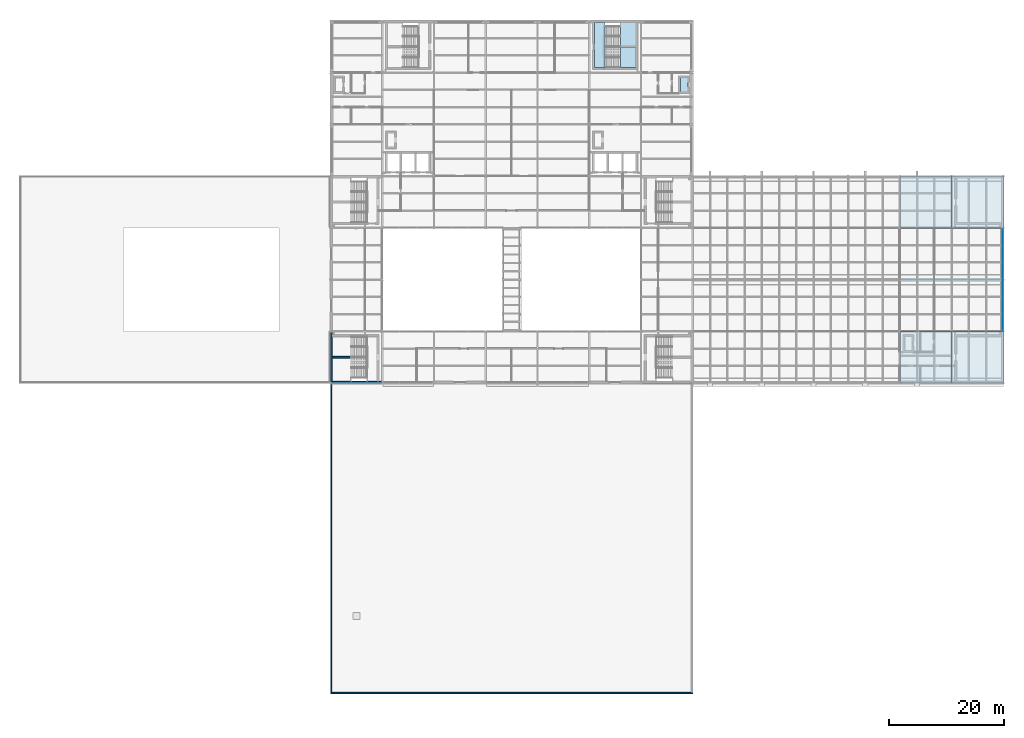
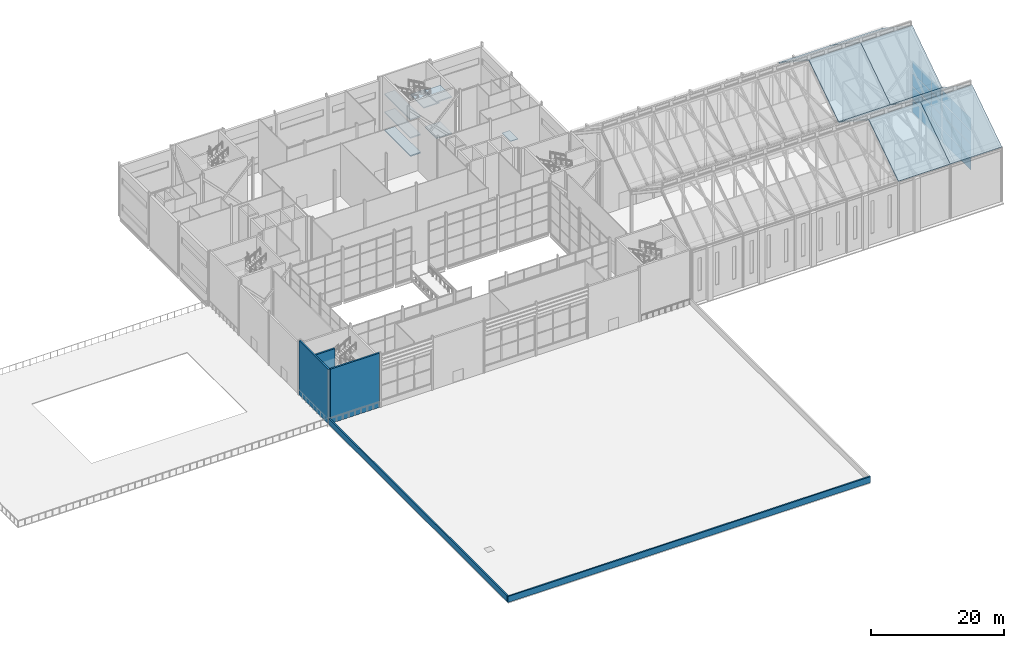
# One storey, part 84 of 111: 24 plates, 15 slabs, 5 walls, 3 elements without a shape of their own.
"""IFC4 building model written with IfcOpenShell, lengths in metres."""

from ifc_helpers import new_model, si_unit, direction, frame, frame_2d, origin, origin_2d, place, context, subcontext, project, spatial, polyline, rectangle, outline, extrude, material, layer, layer_set, type_object, element, aggregate, save


model = new_model("IFC4")

# Units and contexts
model_context = context("Model", 3, precision=1e-05, world=origin(), true_north=direction((0.0, 1.0)))
body_context = subcontext(model_context, "Body", "Model", "MODEL_VIEW")
ifc_project = project(units=[si_unit("LENGTHUNIT", "METRE"), si_unit("AREAUNIT", "SQUARE_METRE"), si_unit("VOLUMEUNIT", "CUBIC_METRE"), si_unit("PLANEANGLEUNIT", "RADIAN"), si_unit("MASSUNIT", "GRAM", prefix="KILO")], contexts=[model_context])

# Site, building, storey
site_placement = place(None, origin())
site = spatial("IfcSite", under=ifc_project, at=site_placement, CompositionType="ELEMENT")
building_placement = place(site_placement, origin())
building = spatial("IfcBuilding", under=site, at=building_placement, Name="Shorebreak Coast Museum", CompositionType="ELEMENT")
storey_placement = place(building_placement, frame((0.0, 0.0, 16.0)))
storey = spatial("IfcBuildingStorey", under=building, at=storey_placement, Name="L03", CompositionType="ELEMENT", Elevation=16.0)

# Slabs
ifc_material_1 = material(Name="Concrete N40 (40 MPa)", Category="concrete")
ifc_layer_1 = layer(ifc_material_1, 0.10009765625)
ifc_layer_set_1 = layer_set([ifc_layer_1], Name="Concrete N40 (40 MPa)")
slab_type_1 = type_object("IfcSlabType", Name="Riser platform 100", PredefinedType="USERDEFINED", material=ifc_layer_set_1)
slab_1_placement = place(storey_placement, frame((0.0, 0.0, -0.10009765625)))
element("IfcSlab", 1, at=slab_1_placement, inside=storey, type_object=slab_type_1, Name="Riser platform R-WC-N2 L03", ObjectType="RISER PLATFORM", PredefinedType="USERDEFINED", context=body_context, shape_type="SweptSolid", body=[
    extrude(outline(polyline([(114.85009765625, 104.64990234375), (116.14990234375, 104.64990234375), (116.14990234375, 107.14990234375), (114.85009765625, 107.14990234375), (114.85009765625, 104.64990234375)])), origin(), (0.0, 0.0, 1.0), 0.10009765625),
])
ifc_material_2 = material(Name="Concrete N50 (50 MPa)", Category="concrete")
ifc_layer_2 = layer(ifc_material_2, 0.199951171875)
ifc_layer_set_2 = layer_set([ifc_layer_2], Name="Concrete N50 (50 MPa)")
slab_type_2 = type_object("IfcSlabType", Name="Roof slab folded plate 200 concrete N50", PredefinedType="ROOF", material=ifc_layer_set_2)
for number, where, z_axis, x_axis, name in (
    (2, (153.0, 54.0, 10.0), (0.0, -0.554700196225, 0.832050294338), (1.0, 0.0, 0.0), "Folded roof slab FOLD-E-P05"),
    (3, (162.0, 54.0, 10.0), (0.0, -0.554700196225, 0.832050294338), (1.0, 0.0, 0.0), "Folded roof slab FOLD-E-P06"),
    (4, (153.0, 63.0, 16.0), (0.0, 0.554700196225, 0.832050294338), (1.0, 0.0, 0.0), "Folded roof slab FOLD-E-P11"),
    (5, (162.0, 63.0, 16.0), (0.0, 0.554700196225, 0.832050294338), (1.0, 0.0, 0.0), "Folded roof slab FOLD-E-P12"),
    (6, (153.0, 72.0, 10.0), (0.0, -0.554700196225, 0.832050294338), (1.0, 0.0, 0.0), "Folded roof slab FOLD-E-P17"),
    (7, (162.0, 72.0, 10.0), (0.0, -0.554700196225, 0.832050294338), (1.0, 0.0, 0.0), "Folded roof slab FOLD-E-P18"),
    (8, (153.0, 81.0, 16.0), (0.0, 0.554700196225, 0.832050294338), (1.0, 0.0, 0.0), "Folded roof slab FOLD-E-P23"),
    (9, (162.0, 81.0, 16.0), (0.0, 0.554700196225, 0.832050294338), (1.0, 0.0, 0.0), "Folded roof slab FOLD-E-P24"),
):
    element("IfcSlab", number, at=place(storey_placement, frame(where, z_axis=z_axis, x_axis=x_axis)), inside=storey, type_object=slab_type_2, Name=name, PredefinedType="ROOF", context=body_context, shape_type="SweptSolid", body=[
        extrude(outline(polyline([(0.0, 0.0), (9.0, 0.0), (9.0, 10.816653826391969), (0.0, 10.816653826391969), (0.0, 0.0)])), origin(), (0.0, 0.0, -1.0), 0.199951171875),
    ])

# Stair, slabs
ifc_material_3 = material(Name="Concrete N40 (40 MPa)", Category="concrete")
stair_type = type_object("IfcStairType", Name="Stair run 10 m", PredefinedType="DOUBLE_RETURN_STAIR", material=ifc_material_3)
stair_placement = place(storey_placement, origin())
stair = element("IfcStair", 10, at=stair_placement, inside=storey, type_object=stair_type, Name="Exit stair ST10-L03", PredefinedType="DOUBLE_RETURN_STAIR")
ifc_material_4 = material(Name="Concrete N40 (40 MPa)", Category="concrete")
ifc_layer_3 = layer(ifc_material_4, 0.199951171875)
ifc_layer_set_3 = layer_set([ifc_layer_3], Name="Concrete N40 (40 MPa)")
slab_type_3 = type_object("IfcSlabType", Name="Stair landing 200", PredefinedType="LANDING", material=ifc_layer_set_3)
slab_2_placement = place(storey_placement, frame((0.0, 0.0, -0.199951171875)))
slab_2 = element("IfcSlab", 11, at=slab_2_placement, type_object=slab_type_3, Name="ST10-L03 landing 1", PredefinedType="LANDING", context=body_context, shape_type="SweptSolid", body=[
    extrude(outline(polyline([(99.89990234375, 108.89990234375), (101.699951171875, 108.89990234375), (101.699951171875, 116.699951171875), (99.89990234375, 116.699951171875), (99.89990234375, 108.89990234375)])), origin(), (0.0, 0.0, 1.0), 0.199951171875),
])
slab_3_placement = place(storey_placement, frame((0.0, 0.0, 3.13330078125)))
slab_3 = element("IfcSlab", 12, at=slab_3_placement, type_object=slab_type_3, Name="ST10-L03 landing 2", PredefinedType="LANDING", context=body_context, shape_type="SweptSolid", body=[
    extrude(outline(polyline([(99.89990234375, 108.89990234375), (101.699951171875, 108.89990234375), (101.699951171875, 116.699951171875), (99.89990234375, 116.699951171875), (99.89990234375, 108.89990234375)])), origin(), (0.0, 0.0, 1.0), 0.199951171875),
])
slab_4_placement = place(storey_placement, frame((0.0, 0.0, 6.466796875)))
slab_4 = element("IfcSlab", 13, at=slab_4_placement, type_object=slab_type_3, Name="ST10-L03 landing 3", PredefinedType="LANDING", context=body_context, shape_type="SweptSolid", body=[
    extrude(outline(polyline([(99.89990234375, 108.89990234375), (101.699951171875, 108.89990234375), (101.699951171875, 116.699951171875), (99.89990234375, 116.699951171875), (99.89990234375, 108.89990234375)])), origin(), (0.0, 0.0, 1.0), 0.199951171875),
])
slab_5_placement = place(storey_placement, frame((0.0, 0.0, 1.466796875)))
slab_5 = element("IfcSlab", 14, at=slab_5_placement, type_object=slab_type_3, Name="ST10-L03 landing 4", PredefinedType="LANDING", context=body_context, shape_type="SweptSolid", body=[
    extrude(outline(polyline([(104.39990234375, 108.89990234375), (107.10009765625, 108.89990234375), (107.10009765625, 112.35009765625), (104.39990234375, 112.35009765625), (104.39990234375, 108.89990234375)])), origin(), (0.0, 0.0, 1.0), 0.199951171875),
])
slab_6_placement = place(storey_placement, frame((0.0, 0.0, 4.800048828125)))
slab_6 = element("IfcSlab", 15, at=slab_6_placement, type_object=slab_type_3, Name="ST10-L03 landing 5", PredefinedType="LANDING", context=body_context, shape_type="SweptSolid", body=[
    extrude(outline(polyline([(104.39990234375, 112.64990234375), (107.10009765625, 112.64990234375), (107.10009765625, 116.699951171875), (104.39990234375, 116.699951171875), (104.39990234375, 112.64990234375)])), origin(), (0.0, 0.0, 1.0), 0.199951171875),
])
slab_7_placement = place(storey_placement, frame((0.0, 0.0, 8.13330078125)))
slab_7 = element("IfcSlab", 16, at=slab_7_placement, type_object=slab_type_3, Name="ST10-L03 landing 6", PredefinedType="LANDING", context=body_context, shape_type="SweptSolid", body=[
    extrude(outline(polyline([(104.39990234375, 108.89990234375), (107.10009765625, 108.89990234375), (107.10009765625, 112.35009765625), (104.39990234375, 112.35009765625), (104.39990234375, 108.89990234375)])), origin(), (0.0, 0.0, 1.0), 0.199951171875),
])
aggregate(stair, [slab_2, slab_3, slab_4, slab_5, slab_6, slab_7])

# Curtain wall, plates
ifc_material_5 = material(Name="Aluminium", Category="aluminium")
ifc_layer_4 = layer(ifc_material_5, 0.14990234375)
ifc_layer_set_4 = layer_set([ifc_layer_4], Name="Aluminium")
curtain_wall_type = type_object("IfcCurtainWallType", Name="Storefront curtain wall", PredefinedType="NOTDEFINED", material=ifc_layer_set_4)
curtain_wall_1_placement = place(storey_placement, origin())
curtain_wall_1 = element("IfcCurtainWall", 17, at=curtain_wall_1_placement, inside=storey, type_object=curtain_wall_type, Name="Gallery end glazing L03 E 1", PredefinedType="NOTDEFINED")
ifc_material_6 = material(Name="Glass", Category="glass")
ifc_layer_5 = layer(ifc_material_6, 0.031982421875)
ifc_layer_set_5 = layer_set([ifc_layer_5], Name="Glass")
plate_type = type_object("IfcPlateType", Name="Storefront glass panel 32", PredefinedType="CURTAIN_PANEL", material=ifc_layer_set_5)
plate_1_placement = place(storey_placement, frame((170.925048828125, 64.63916015625, 0.14990234375), z_axis=(0.0, 0.0, 1.0), x_axis=(0.0, 1.0, 0.0)))
plate_1 = element("IfcPlate", 18, at=plate_1_placement, type_object=plate_type, Name="CW9 panel 1.1", PredefinedType="CURTAIN_PANEL", context=body_context, shape_type="SweptSolid", body=[
    extrude(rectangle(XDim=2.82421875, YDim=0.031982421875, at=origin_2d()), origin(), (0.0, 0.0, 1.0), 2.22509765625),
])
plate_2_placement = place(storey_placement, frame((170.925048828125, 64.63916015625, 2.52490234375), z_axis=(0.0, 0.0, 1.0), x_axis=(0.0, 1.0, 0.0)))
plate_2 = element("IfcPlate", 19, at=plate_2_placement, type_object=plate_type, Name="CW9 panel 1.2", PredefinedType="CURTAIN_PANEL", context=body_context, shape_type="SweptSolid", body=[
    extrude(rectangle(XDim=2.82421875, YDim=0.031982421875, at=origin_2d()), origin(), (0.0, 0.0, 1.0), 2.300048828125),
])
plate_3_placement = place(storey_placement, frame((170.925048828125, 64.63916015625, 4.97509765625), z_axis=(0.0, 0.0, 1.0), x_axis=(0.0, 1.0, 0.0)))
plate_3 = element("IfcPlate", 20, at=plate_3_placement, type_object=plate_type, Name="CW9 panel 1.3", PredefinedType="CURTAIN_PANEL", context=body_context, shape_type="SweptSolid", body=[
    extrude(rectangle(XDim=2.82421875, YDim=0.031982421875, at=origin_2d()), origin(), (0.0, 0.0, 1.0), 2.300048828125),
])
plate_4_placement = place(storey_placement, frame((170.925048828125, 64.63916015625, 7.425048828125), z_axis=(0.0, 0.0, 1.0), x_axis=(0.0, 1.0, 0.0)))
plate_4 = element("IfcPlate", 21, at=plate_4_placement, type_object=plate_type, Name="CW9 panel 1.4", PredefinedType="CURTAIN_PANEL", context=body_context, shape_type="SweptSolid", body=[
    extrude(rectangle(XDim=2.82421875, YDim=0.031982421875, at=origin_2d()), origin(), (0.0, 0.0, 1.0), 2.22509765625),
])
plate_5_placement = place(storey_placement, frame((170.925048828125, 67.52587890625, 0.14990234375), z_axis=(0.0, 0.0, 1.0), x_axis=(0.0, 1.0, 0.0)))
plate_5 = element("IfcPlate", 22, at=plate_5_placement, type_object=plate_type, Name="CW9 panel 2.1", PredefinedType="CURTAIN_PANEL", context=body_context, shape_type="SweptSolid", body=[
    extrude(rectangle(XDim=2.849365234375, YDim=0.031982421875, at=origin_2d()), origin(), (0.0, 0.0, 1.0), 2.22509765625),
])
plate_6_placement = place(storey_placement, frame((170.925048828125, 67.52587890625, 2.52490234375), z_axis=(0.0, 0.0, 1.0), x_axis=(0.0, 1.0, 0.0)))
plate_6 = element("IfcPlate", 23, at=plate_6_placement, type_object=plate_type, Name="CW9 panel 2.2", PredefinedType="CURTAIN_PANEL", context=body_context, shape_type="SweptSolid", body=[
    extrude(rectangle(XDim=2.849365234375, YDim=0.031982421875, at=origin_2d()), origin(), (0.0, 0.0, 1.0), 2.300048828125),
])
plate_7_placement = place(storey_placement, frame((170.925048828125, 67.52587890625, 4.97509765625), z_axis=(0.0, 0.0, 1.0), x_axis=(0.0, 1.0, 0.0)))
plate_7 = element("IfcPlate", 24, at=plate_7_placement, type_object=plate_type, Name="CW9 panel 2.3", PredefinedType="CURTAIN_PANEL", context=body_context, shape_type="SweptSolid", body=[
    extrude(rectangle(XDim=2.849365234375, YDim=0.031982421875, at=origin_2d()), origin(), (0.0, 0.0, 1.0), 2.300048828125),
])
plate_8_placement = place(storey_placement, frame((170.925048828125, 67.52587890625, 7.425048828125), z_axis=(0.0, 0.0, 1.0), x_axis=(0.0, 1.0, 0.0)))
plate_8 = element("IfcPlate", 25, at=plate_8_placement, type_object=plate_type, Name="CW9 panel 2.4", PredefinedType="CURTAIN_PANEL", context=body_context, shape_type="SweptSolid", body=[
    extrude(rectangle(XDim=2.849365234375, YDim=0.031982421875, at=origin_2d()), origin(), (0.0, 0.0, 1.0), 2.22509765625),
])
plate_9_placement = place(storey_placement, frame((170.925048828125, 70.412841796875, 0.14990234375), z_axis=(0.0, 0.0, 1.0), x_axis=(0.0, 1.0, 0.0)))
plate_9 = element("IfcPlate", 26, at=plate_9_placement, type_object=plate_type, Name="CW9 panel 3.1", PredefinedType="CURTAIN_PANEL", context=body_context, shape_type="SweptSolid", body=[
    extrude(rectangle(XDim=2.82421875, YDim=0.031982421875, at=origin_2d()), origin(), (0.0, 0.0, 1.0), 2.22509765625),
])
plate_10_placement = place(storey_placement, frame((170.925048828125, 70.412841796875, 2.52490234375), z_axis=(0.0, 0.0, 1.0), x_axis=(0.0, 1.0, 0.0)))
plate_10 = element("IfcPlate", 27, at=plate_10_placement, type_object=plate_type, Name="CW9 panel 3.2", PredefinedType="CURTAIN_PANEL", context=body_context, shape_type="SweptSolid", body=[
    extrude(rectangle(XDim=2.82421875, YDim=0.031982421875, at=origin_2d()), origin(), (0.0, 0.0, 1.0), 2.300048828125),
])
plate_11_placement = place(storey_placement, frame((170.925048828125, 70.412841796875, 4.97509765625), z_axis=(0.0, 0.0, 1.0), x_axis=(0.0, 1.0, 0.0)))
plate_11 = element("IfcPlate", 28, at=plate_11_placement, type_object=plate_type, Name="CW9 panel 3.3", PredefinedType="CURTAIN_PANEL", context=body_context, shape_type="SweptSolid", body=[
    extrude(rectangle(XDim=2.82421875, YDim=0.031982421875, at=origin_2d()), origin(), (0.0, 0.0, 1.0), 2.300048828125),
])
plate_12_placement = place(storey_placement, frame((170.925048828125, 70.412841796875, 7.425048828125), z_axis=(0.0, 0.0, 1.0), x_axis=(0.0, 1.0, 0.0)))
plate_12 = element("IfcPlate", 29, at=plate_12_placement, type_object=plate_type, Name="CW9 panel 3.4", PredefinedType="CURTAIN_PANEL", context=body_context, shape_type="SweptSolid", body=[
    extrude(rectangle(XDim=2.82421875, YDim=0.031982421875, at=origin_2d()), origin(), (0.0, 0.0, 1.0), 2.22509765625),
])
aggregate(curtain_wall_1, [plate_1, plate_2, plate_3, plate_4, plate_5, plate_6, plate_7, plate_8, plate_9, plate_10, plate_11, plate_12])

curtain_wall_2_placement = place(storey_placement, origin())
curtain_wall_2 = element("IfcCurtainWall", 30, at=curtain_wall_2_placement, inside=storey, type_object=curtain_wall_type, Name="Gallery end glazing L03 E 2", PredefinedType="NOTDEFINED")
plate_13_placement = place(storey_placement, frame((170.925048828125, 73.587158203125, 0.14990234375), z_axis=(0.0, 0.0, 1.0), x_axis=(0.0, 1.0, 0.0)))
plate_13 = element("IfcPlate", 31, at=plate_13_placement, type_object=plate_type, Name="CW9 panel 1.1", PredefinedType="CURTAIN_PANEL", context=body_context, shape_type="SweptSolid", body=[
    extrude(rectangle(XDim=2.82421875, YDim=0.031982421875, at=origin_2d()), origin(), (0.0, 0.0, 1.0), 2.22509765625),
])
plate_14_placement = place(storey_placement, frame((170.925048828125, 73.587158203125, 2.52490234375), z_axis=(0.0, 0.0, 1.0), x_axis=(0.0, 1.0, 0.0)))
plate_14 = element("IfcPlate", 32, at=plate_14_placement, type_object=plate_type, Name="CW9 panel 1.2", PredefinedType="CURTAIN_PANEL", context=body_context, shape_type="SweptSolid", body=[
    extrude(rectangle(XDim=2.82421875, YDim=0.031982421875, at=origin_2d()), origin(), (0.0, 0.0, 1.0), 2.300048828125),
])
plate_15_placement = place(storey_placement, frame((170.925048828125, 73.587158203125, 4.97509765625), z_axis=(0.0, 0.0, 1.0), x_axis=(0.0, 1.0, 0.0)))
plate_15 = element("IfcPlate", 33, at=plate_15_placement, type_object=plate_type, Name="CW9 panel 1.3", PredefinedType="CURTAIN_PANEL", context=body_context, shape_type="SweptSolid", body=[
    extrude(rectangle(XDim=2.82421875, YDim=0.031982421875, at=origin_2d()), origin(), (0.0, 0.0, 1.0), 2.300048828125),
])
plate_16_placement = place(storey_placement, frame((170.925048828125, 73.587158203125, 7.425048828125), z_axis=(0.0, 0.0, 1.0), x_axis=(0.0, 1.0, 0.0)))
plate_16 = element("IfcPlate", 34, at=plate_16_placement, type_object=plate_type, Name="CW9 panel 1.4", PredefinedType="CURTAIN_PANEL", context=body_context, shape_type="SweptSolid", body=[
    extrude(rectangle(XDim=2.82421875, YDim=0.031982421875, at=origin_2d()), origin(), (0.0, 0.0, 1.0), 2.22509765625),
])
plate_17_placement = place(storey_placement, frame((170.925048828125, 76.47412109375, 0.14990234375), z_axis=(0.0, 0.0, 1.0), x_axis=(0.0, 1.0, 0.0)))
plate_17 = element("IfcPlate", 35, at=plate_17_placement, type_object=plate_type, Name="CW9 panel 2.1", PredefinedType="CURTAIN_PANEL", context=body_context, shape_type="SweptSolid", body=[
    extrude(rectangle(XDim=2.849365234375, YDim=0.031982421875, at=origin_2d()), origin(), (0.0, 0.0, 1.0), 2.22509765625),
])
plate_18_placement = place(storey_placement, frame((170.925048828125, 76.47412109375, 2.52490234375), z_axis=(0.0, 0.0, 1.0), x_axis=(0.0, 1.0, 0.0)))
plate_18 = element("IfcPlate", 36, at=plate_18_placement, type_object=plate_type, Name="CW9 panel 2.2", PredefinedType="CURTAIN_PANEL", context=body_context, shape_type="SweptSolid", body=[
    extrude(rectangle(XDim=2.849365234375, YDim=0.031982421875, at=origin_2d()), origin(), (0.0, 0.0, 1.0), 2.300048828125),
])
plate_19_placement = place(storey_placement, frame((170.925048828125, 76.47412109375, 4.97509765625), z_axis=(0.0, 0.0, 1.0), x_axis=(0.0, 1.0, 0.0)))
plate_19 = element("IfcPlate", 37, at=plate_19_placement, type_object=plate_type, Name="CW9 panel 2.3", PredefinedType="CURTAIN_PANEL", context=body_context, shape_type="SweptSolid", body=[
    extrude(rectangle(XDim=2.849365234375, YDim=0.031982421875, at=origin_2d()), origin(), (0.0, 0.0, 1.0), 2.300048828125),
])
plate_20_placement = place(storey_placement, frame((170.925048828125, 76.47412109375, 7.425048828125), z_axis=(0.0, 0.0, 1.0), x_axis=(0.0, 1.0, 0.0)))
plate_20 = element("IfcPlate", 38, at=plate_20_placement, type_object=plate_type, Name="CW9 panel 2.4", PredefinedType="CURTAIN_PANEL", context=body_context, shape_type="SweptSolid", body=[
    extrude(rectangle(XDim=2.849365234375, YDim=0.031982421875, at=origin_2d()), origin(), (0.0, 0.0, 1.0), 2.22509765625),
])
plate_21_placement = place(storey_placement, frame((170.925048828125, 79.36083984375, 0.14990234375), z_axis=(0.0, 0.0, 1.0), x_axis=(0.0, 1.0, 0.0)))
plate_21 = element("IfcPlate", 39, at=plate_21_placement, type_object=plate_type, Name="CW9 panel 3.1", PredefinedType="CURTAIN_PANEL", context=body_context, shape_type="SweptSolid", body=[
    extrude(rectangle(XDim=2.82421875, YDim=0.031982421875, at=origin_2d()), origin(), (0.0, 0.0, 1.0), 2.22509765625),
])
plate_22_placement = place(storey_placement, frame((170.925048828125, 79.36083984375, 2.52490234375), z_axis=(0.0, 0.0, 1.0), x_axis=(0.0, 1.0, 0.0)))
plate_22 = element("IfcPlate", 40, at=plate_22_placement, type_object=plate_type, Name="CW9 panel 3.2", PredefinedType="CURTAIN_PANEL", context=body_context, shape_type="SweptSolid", body=[
    extrude(rectangle(XDim=2.82421875, YDim=0.031982421875, at=origin_2d()), origin(), (0.0, 0.0, 1.0), 2.300048828125),
])
plate_23_placement = place(storey_placement, frame((170.925048828125, 79.36083984375, 4.97509765625), z_axis=(0.0, 0.0, 1.0), x_axis=(0.0, 1.0, 0.0)))
plate_23 = element("IfcPlate", 41, at=plate_23_placement, type_object=plate_type, Name="CW9 panel 3.3", PredefinedType="CURTAIN_PANEL", context=body_context, shape_type="SweptSolid", body=[
    extrude(rectangle(XDim=2.82421875, YDim=0.031982421875, at=origin_2d()), origin(), (0.0, 0.0, 1.0), 2.300048828125),
])
plate_24_placement = place(storey_placement, frame((170.925048828125, 79.36083984375, 7.425048828125), z_axis=(0.0, 0.0, 1.0), x_axis=(0.0, 1.0, 0.0)))
plate_24 = element("IfcPlate", 42, at=plate_24_placement, type_object=plate_type, Name="CW9 panel 3.4", PredefinedType="CURTAIN_PANEL", context=body_context, shape_type="SweptSolid", body=[
    extrude(rectangle(XDim=2.82421875, YDim=0.031982421875, at=origin_2d()), origin(), (0.0, 0.0, 1.0), 2.22509765625),
])
aggregate(curtain_wall_2, [plate_13, plate_14, plate_15, plate_16, plate_17, plate_18, plate_19, plate_20, plate_21, plate_22, plate_23, plate_24])

# Walls
ifc_material_7 = material(Name="Concrete N50 (50 MPa)", Category="concrete")
ifc_layer_6 = layer(ifc_material_7, 0.300048828125)
ifc_layer_set_6 = layer_set([ifc_layer_6], Name="Concrete N50 (50 MPa)")
wall_type_1 = type_object("IfcWallType", Name="RC wall 300", PredefinedType="SHEAR", material=ifc_layer_set_6)
wall_1_placement = place(storey_placement, frame((54.300048828125, 54.14990234375, 0.0), z_axis=(0.0, 0.0, 1.0), x_axis=(1.0, 0.0, 0.0)))
element("IfcWall", 43, at=wall_1_placement, inside=storey, type_object=wall_type_1, Name="Stair core wall ST01 L03 S", PredefinedType="SHEAR", context=body_context, shape_type="SweptSolid", body=[
    extrude(rectangle(XDim=8.574951171875, YDim=0.300048828125, at=frame_2d((4.28759765625, 0.0))), origin(), (0.0, 0.0, 1.0), 10.0),
])
wall_2_placement = place(storey_placement, frame((54.14990234375, 54.125, 0.0), z_axis=(0.0, 0.0, 1.0), x_axis=(0.0, 1.0, 0.0)))
element("IfcWall", 44, at=wall_2_placement, inside=storey, type_object=wall_type_1, Name="Stair core wall ST01 L03 W", PredefinedType="SHEAR", context=body_context, shape_type="SweptSolid", body=[
    extrude(rectangle(XDim=8.75, YDim=0.300048828125, at=frame_2d((4.375, 0.0))), origin(), (0.0, 0.0, 1.0), 10.0),
])
wall_3_placement = place(storey_placement, frame((57.60009765625, 58.5, 0.0), z_axis=(0.0, 0.0, 1.0), x_axis=(-1.0, 0.0, 0.0)))
element("IfcWall", 45, at=wall_3_placement, inside=storey, type_object=wall_type_1, Name="Stair spine wall ST01 L03", PredefinedType="SHEAR", context=body_context, shape_type="SweptSolid", body=[
    extrude(rectangle(XDim=3.300048828125, YDim=0.300048828125, at=frame_2d((1.64990234375, 0.0))), origin(), (0.0, 0.0, 1.0), 10.0),
])
ifc_material_8 = material(Name="Concrete N50 (50 MPa)", Category="concrete")
ifc_layer_7 = layer(ifc_material_8, 0.25)
ifc_layer_set_7 = layer_set([ifc_layer_7], Name="Concrete N50 (50 MPa)")
wall_type_2 = type_object("IfcWallType", Name="Roof parapet 250", PredefinedType="PARAPET", material=ifc_layer_set_7)
wall_4_placement = place(storey_placement, frame((54.0, 0.125, 0.0), z_axis=(0.0, 0.0, 1.0), x_axis=(1.0, 0.0, 0.0)))
element("IfcWall", 46, at=wall_4_placement, inside=storey, type_object=wall_type_2, Name="Roof parapet S", PredefinedType="PARAPET", context=body_context, shape_type="SweptSolid", body=[
    extrude(rectangle(XDim=63.0, YDim=0.25, at=frame_2d((31.5, 0.0))), origin(), (0.0, 0.0, 1.0), 1.10009765625),
])
wall_5_placement = place(storey_placement, frame((54.125, 0.25, 0.0), z_axis=(0.0, 0.0, 1.0), x_axis=(0.0, 1.0, 0.0)))
element("IfcWall", 47, at=wall_5_placement, inside=storey, type_object=wall_type_2, Name="Roof parapet W", PredefinedType="PARAPET", context=body_context, shape_type="SweptSolid", body=[
    extrude(rectangle(XDim=53.75, YDim=0.25, at=frame_2d((26.875, 0.0))), origin(), (0.0, 0.0, 1.0), 1.10009765625),
])

save(model, "model.ifc")
